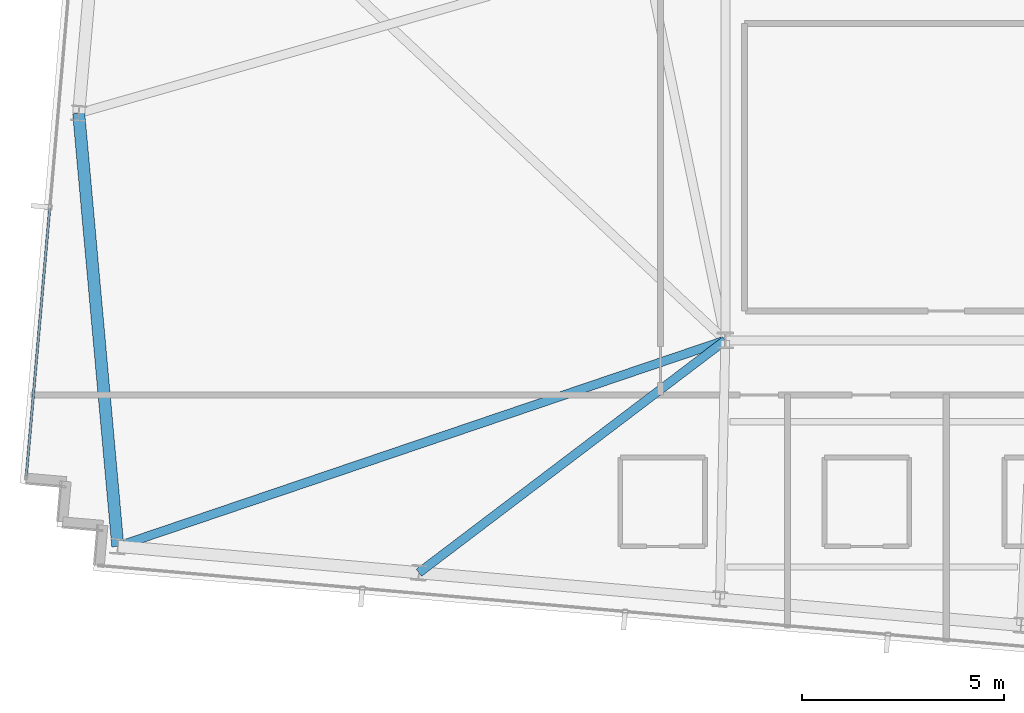
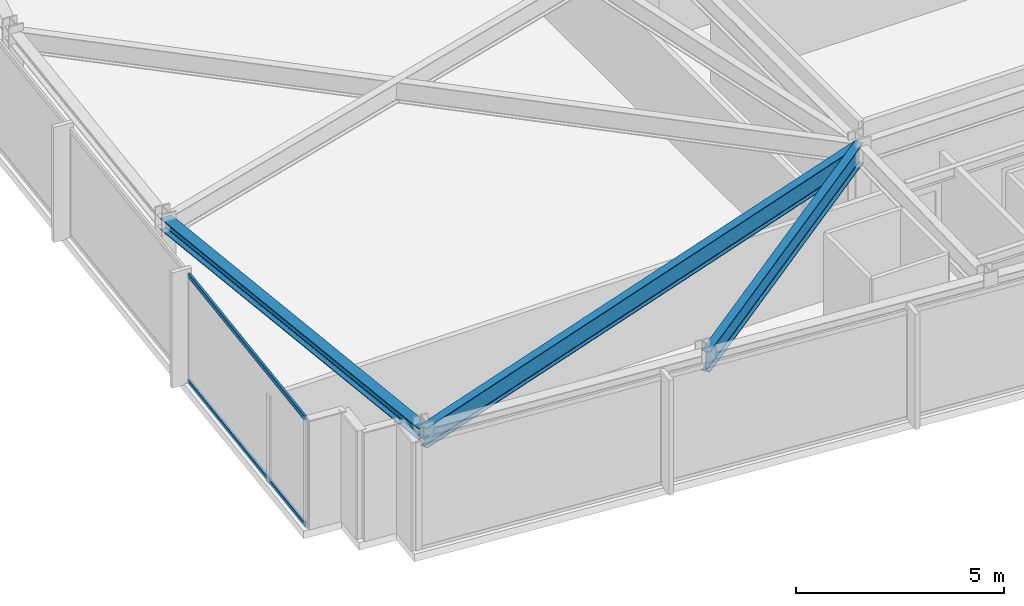
# One storey, part 4 of 33: 3 beams, 2 members, 1 element without a shape of its own.
"""IFC4 building model written with IfcOpenShell, lengths in metres."""

import ifcopenshell
import ifcopenshell.guid

model = None  # the IFC model being written
_history = None  # IfcOwnerHistory: only IFC2X3 demands one
_inside = {}  # id of a spatial element -> (the spatial element, [elements in it])
_under = {}  # id of a project, library or spatial element -> (it, [spatial elements below it])
_declared = {}  # id of a project -> (the project, [libraries it declares])
_typed = {}  # id of a type object -> (the type object, [elements of that type])
_made_of = {}  # id of a material, layer set ... -> (it, [elements and type objects made of it])


def new_model(schema):
    """Start an empty IFC model of exactly this schema.

    Asked for "IFC4X3", IfcOpenShell would pick the latest addendum, in which some entities
    have other attributes; the version numbers below select the first issue.
    IFC2X3 requires an IfcOwnerHistory on every rooted entity: one is made here for all.
    """
    global model, _history
    if schema == "IFC4X3":
        model = ifcopenshell.file(schema_version=(4, 3, 0, 0))
    else:
        model = ifcopenshell.file(schema=schema)
    _inside.clear()
    _under.clear()
    _declared.clear()
    _typed.clear()
    _made_of.clear()
    _history = None
    if model.schema == "IFC2X3":
        org = make("IfcOrganization", Name="unknown")
        user = make(
            "IfcPersonAndOrganization",
            ThePerson=make("IfcPerson", FamilyName="unknown"),
            TheOrganization=org,
        )
        app = make(
            "IfcApplication",
            ApplicationDeveloper=org,
            Version="unknown",
            ApplicationFullName="unknown",
            ApplicationIdentifier="unknown",
        )
        _history = make(
            "IfcOwnerHistory",
            OwningUser=user,
            OwningApplication=app,
            ChangeAction="ADDED",
            CreationDate=0,
        )
    return model


def make(cls, **values):
    """One entity of the class cls with the attributes given. An attribute that is None is left unset."""
    return model.create_entity(
        cls, **{name: value for name, value in values.items() if value is not None}
    )


def rooted(cls, **values):
    """An entity with a GlobalId (a new one), such as an element, a storey or a relation."""
    return make(cls, GlobalId=ifcopenshell.guid.new(), OwnerHistory=_history, **values)


def si_unit(unit_type, name, prefix=None):
    """IfcSIUnit, for example si_unit("LENGTHUNIT", "METRE", prefix="MILLI")."""
    return make("IfcSIUnit", UnitType=unit_type, Prefix=prefix, Name=name)


def assignment(units):
    """IfcUnitAssignment: the units of a project."""
    return None if units is None else make("IfcUnitAssignment", Units=units)


def point(xyz):
    """IfcCartesianPoint."""
    return None if xyz is None else make("IfcCartesianPoint", Coordinates=xyz)


def direction(xyz):
    """IfcDirection."""
    return None if xyz is None else make("IfcDirection", DirectionRatios=xyz)


def frame(location, z_axis=None, x_axis=None):
    """IfcAxis2Placement3D, a coordinate frame: its origin and axes. An axis left out is left unset."""
    return make(
        "IfcAxis2Placement3D",
        Location=point(location),
        Axis=direction(z_axis),
        RefDirection=direction(x_axis),
    )


def frame_2d(location, x_axis=None):
    """IfcAxis2Placement2D, a coordinate frame in the plane: its origin and x axis."""
    return make(
        "IfcAxis2Placement2D", Location=point(location), RefDirection=direction(x_axis)
    )


def origin():
    """The frame at (0, 0, 0) with its axes left unset."""
    return frame((0.0, 0.0, 0.0))


def origin_2d():
    """The frame at (0, 0) in the plane with its x axis left unset."""
    return frame_2d((0.0, 0.0))


def place(relative_to, where):
    """IfcLocalPlacement: puts the frame where relative to a parent placement (None: the world)."""
    return make(
        "IfcLocalPlacement", PlacementRelTo=relative_to, RelativePlacement=where
    )


def context(
    kind, dimensions, precision=None, world=None, true_north=None, identifier=None
):
    """IfcGeometricRepresentationContext, for example the 3D "Model" context."""
    return make(
        "IfcGeometricRepresentationContext",
        ContextIdentifier=identifier,
        ContextType=kind,
        CoordinateSpaceDimension=dimensions,
        Precision=precision,
        WorldCoordinateSystem=world,
        TrueNorth=true_north,
    )


def subcontext(parent, identifier, kind, view, scale=None):
    """IfcGeometricRepresentationSubContext, for example "Body" below "Model"."""
    return make(
        "IfcGeometricRepresentationSubContext",
        ContextIdentifier=identifier,
        ContextType=kind,
        ParentContext=parent,
        TargetScale=scale,
        TargetView=view,
    )


def project(units=None, contexts=None):
    """IfcProject with its units and contexts."""
    return rooted(
        "IfcProject",
        Name="project",
        RepresentationContexts=contexts,
        UnitsInContext=assignment(units),
    )


def spatial(cls, under=None, at=None, **own):
    """A site, building, storey or space (cls), placed at a placement, below another one or the project."""
    s = rooted(cls, ObjectPlacement=at, **own)
    if under is not None:
        _under.setdefault(under.id(), (under, []))[1].append(s)
    return s


def profile(cls, at=None, kind="AREA", **sizes):
    """A parametric profile (cls). Its sizes go by their IFC names, for example OverallWidth=200.0."""
    return make(cls, ProfileType=kind, Position=at, **sizes)


def hollow_rectangle(**sizes):
    """IfcRectangleHollowProfileDef."""
    return profile("IfcRectangleHollowProfileDef", **sizes)


def i_section(**sizes):
    """IfcIShapeProfileDef."""
    return profile("IfcIShapeProfileDef", **sizes)


def extrude(swept, where, along, depth):
    """IfcExtrudedAreaSolid: the profile swept, set in the frame where, extruded along a direction by depth."""
    return make(
        "IfcExtrudedAreaSolid",
        SweptArea=swept,
        Position=where,
        ExtrudedDirection=direction(along),
        Depth=depth,
    )


def shape(context_of_items, identifier, shape_type, items):
    """IfcShapeRepresentation: the items that make up one representation, for example the "Body"."""
    return make(
        "IfcShapeRepresentation",
        ContextOfItems=context_of_items,
        RepresentationIdentifier=identifier,
        RepresentationType=shape_type,
        Items=items,
    )


def material(Name=None, Category=None):
    """IfcMaterial."""
    return make("IfcMaterial", Name=Name, Category=Category)


def material_profile(
    of_material, cross_section, Name=None, Category=None, Priority=None
):
    """IfcMaterialProfile: a cross section and its material."""
    return make(
        "IfcMaterialProfile",
        Name=Name,
        Material=of_material,
        Profile=cross_section,
        Priority=Priority,
        Category=Category,
    )


def profile_set(profiles, Name=None, composite=None):
    """IfcMaterialProfileSet."""
    return make(
        "IfcMaterialProfileSet",
        Name=Name,
        MaterialProfiles=profiles,
        CompositeProfile=composite,
    )


def made_of(thing, what):
    """Note that an element or type object is made of a material, layer set ...; save() writes the relation."""
    if what is not None:
        _made_of.setdefault(what.id(), (what, []))[1].append(thing)
    return thing


def type_object(cls, material=None, **own):
    """A type object (cls), such as IfcWallType, which elements share."""
    return made_of(rooted(cls, **own), material)


def element(
    cls,
    number,
    at=None,
    inside=None,
    cuts=None,
    type_object=None,
    material=None,
    context=None,
    identifier="Body",
    shape_type=None,
    held_by="IfcProductDefinitionShape",
    body=None,
    shapes=None,
    **own,
):
    """One element of the class cls, such as IfcWall. Its Tag is "e" and its number.

    at: its placement. inside: the storey or other place that contains it. cuts: it is an
    opening in that element (IfcRelVoidsElement). A single representation is given by context,
    identifier, shape_type and body (its items); several are given by shapes. held_by: the class
    of the entity that holds the representations. save() writes the other relations.
    """
    e = rooted(cls, Tag="e%d" % number, ObjectPlacement=at, **own)
    if body is not None:
        shapes = [shape(context, identifier, shape_type, body)]
    if shapes is not None:
        e.Representation = make(held_by, Representations=shapes)
    if inside is not None:
        _inside.setdefault(inside.id(), (inside, []))[1].append(e)
    if cuts is not None:
        rooted(
            "IfcRelVoidsElement", RelatingBuildingElement=cuts, RelatedOpeningElement=e
        )
    if type_object is not None:
        _typed.setdefault(type_object.id(), (type_object, []))[1].append(e)
    return made_of(e, material)


def aggregate(whole, parts):
    """IfcRelAggregates: a whole, such as a stair, and the parts it consists of."""
    return rooted("IfcRelAggregates", RelatingObject=whole, RelatedObjects=parts)


def save(model, path):
    """Write the relations noted so far, then the file.

    IfcRelAggregates (storeys below a building ...), IfcRelContainedInSpatialStructure (elements
    in a storey), IfcRelDefinesByType, IfcRelAssociatesMaterial and IfcRelDeclares: one each for
    every whole, place, type object, material and project.
    """
    for whole, parts in _under.values():
        aggregate(whole, parts)
    for where, things in _inside.values():
        rooted(
            "IfcRelContainedInSpatialStructure",
            RelatedElements=things,
            RelatingStructure=where,
        )
    for kind, things in _typed.values():
        rooted("IfcRelDefinesByType", RelatedObjects=things, RelatingType=kind)
    for what, things in _made_of.values():
        rooted("IfcRelAssociatesMaterial", RelatedObjects=things, RelatingMaterial=what)
    for by, libraries in _declared.values():
        rooted("IfcRelDeclares", RelatingContext=by, RelatedDefinitions=libraries)
    model.write(path)


model = new_model("IFC4")

# Units and contexts
model_context = context("Model", 3, precision=1e-05, world=origin(), true_north=direction((0.0, 1.0)))
body_context = subcontext(model_context, "Body", "Model", "MODEL_VIEW")
ifc_project = project(units=[si_unit("LENGTHUNIT", "METRE"), si_unit("AREAUNIT", "SQUARE_METRE"), si_unit("VOLUMEUNIT", "CUBIC_METRE"), si_unit("PLANEANGLEUNIT", "RADIAN"), si_unit("MASSUNIT", "GRAM", prefix="KILO")], contexts=[model_context])

# Site, building, storey
site_placement = place(None, origin())
site = spatial("IfcSite", under=ifc_project, at=site_placement, CompositionType="ELEMENT")
building_placement = place(site_placement, origin())
building = spatial("IfcBuilding", under=site, at=building_placement, Name="Yelkora Congress Tower", CompositionType="ELEMENT")
storey_placement = place(building_placement, frame((0.0, 0.0, 289.699951171875)))
storey = spatial("IfcBuildingStorey", under=building, at=storey_placement, Name="L81", CompositionType="ELEMENT", Elevation=289.699951171875)

# Beams
ifc_material_1 = material(Name="Steel S355J2", Category="steel")
ifc_material_profile_1 = material_profile(ifc_material_1, i_section(OverallWidth=0.219970703125, OverallDepth=0.60009765625, WebThickness=0.011962890625, FlangeThickness=0.01904296875, FilletRadius=0.02392578125, at=origin_2d()), Name="IPE 600")
ifc_profile_set_1 = profile_set([ifc_material_profile_1], Name="Steel S355J2")
beam_type_1 = type_object("IfcBeamType", Name="BM-GIRD-IPE600", PredefinedType="BEAM", material=ifc_profile_set_1)
beam_1_placement = place(storey_placement, frame((7.998046875, 20.097900390625, 2.880126953125), z_axis=(0.947007090502, 0.321212656257, 0.0), x_axis=(-0.321212656257, 0.947007090502, 0.0)))
element("IfcBeam", 1, at=beam_1_placement, inside=storey, type_object=beam_type_1, Name="L81 Primary Frame Girder S01", PredefinedType="BEAM", context=body_context, shape_type="SweptSolid", body=[
    extrude(i_section(OverallWidth=0.219970703125, OverallDepth=0.60009765625, WebThickness=0.011962890625, FlangeThickness=0.01904296875, FilletRadius=0.02392578125, at=origin_2d()), origin(), (0.0, 0.0, 1.0), 15.8837890625),
])
beam_2_placement = place(storey_placement, frame((15.452880859375, 19.445556640625, 2.880126953125), z_axis=(0.79676107913, 0.6042944504, 0.0), x_axis=(-0.6042944504, 0.79676107913, 0.0)))
element("IfcBeam", 2, at=beam_2_placement, inside=storey, type_object=beam_type_1, Name="L81 Primary Frame Girder S02", PredefinedType="BEAM", context=body_context, shape_type="SweptSolid", body=[
    extrude(i_section(OverallWidth=0.219970703125, OverallDepth=0.60009765625, WebThickness=0.011962890625, FlangeThickness=0.01904296875, FilletRadius=0.02392578125, at=origin_2d()), origin(), (0.0, 0.0, 1.0), 9.5224609375),
])
ifc_material_profile_2 = material_profile(ifc_material_1, i_section(OverallWidth=0.300048828125, OverallDepth=0.340087890625, WebThickness=0.011962890625, FlangeThickness=0.021484375, FilletRadius=0.027099609375, at=origin_2d()), Name="HEB 340")
ifc_profile_set_2 = profile_set([ifc_material_profile_2], Name="Steel S355J2")
beam_type_2 = type_object("IfcBeamType", Name="BM-SPAN-HEB340", PredefinedType="SPANDREL", material=ifc_profile_set_2)
beam_3_placement = place(storey_placement, frame((7.029052734375, 30.822998046875, 3.010009765625), z_axis=(0.08998177561, -0.995943412076, 0.0), x_axis=(0.995943412076, 0.08998177561, 0.0)))
element("IfcBeam", 3, at=beam_3_placement, inside=storey, type_object=beam_type_2, Name="L81 Perimeter Beam 15", PredefinedType="SPANDREL", context=body_context, shape_type="SweptSolid", body=[
    extrude(i_section(OverallWidth=0.300048828125, OverallDepth=0.340087890625, WebThickness=0.011962890625, FlangeThickness=0.021484375, FilletRadius=0.027099609375, at=origin_2d()), origin(), (0.0, 0.0, 1.0), 10.768798828125),
])

# Curtain wall, members
ifc_material_2 = material(Name="Anodised aluminium and insulated glass", Category="aluminium")
curtain_wall_type = type_object("IfcCurtainWallType", Name="CW-SYS-B5", PredefinedType="NOTDEFINED", material=ifc_material_2)
curtain_wall_placement = place(storey_placement, origin())
curtain_wall = element("IfcCurtainWall", 4, at=curtain_wall_placement, inside=storey, type_object=curtain_wall_type, Name="L81 Unitised Curtain Wall 5", PredefinedType="NOTDEFINED")
ifc_material_3 = material(Name="Anodised aluminium 6063-T6", Category="aluminium")
ifc_material_profile_3 = material_profile(ifc_material_3, hollow_rectangle(XDim=0.06005859375, YDim=0.1298828125, WallThickness=0.00390625, at=origin_2d()), Name="ALU 60x130x4")
ifc_profile_set_3 = profile_set([ifc_material_profile_3], Name="Anodised aluminium 6063-T6")
member_type = type_object("IfcMemberType", Name="MEM-TR-B5", PredefinedType="USERDEFINED", material=ifc_profile_set_3)
member_1_placement = place(storey_placement, frame((5.732666015625, 21.85693359375, 0.030029296875), z_axis=(0.08716649365, 0.996193757451, 0.0), x_axis=(-0.996193757451, 0.08716649365, 0.0)))
member_1 = element("IfcMember", 5, at=member_1_placement, type_object=member_type, Name="CW-B5 transom 1.1", ObjectType="TRANSOM", PredefinedType="USERDEFINED", context=body_context, shape_type="SweptSolid", body=[
    extrude(hollow_rectangle(XDim=0.06005859375, YDim=0.1298828125, WallThickness=0.00390625, at=origin_2d()), origin(), (0.0, 0.0, 1.0), 6.63232421875),
])
member_2_placement = place(storey_placement, frame((5.732666015625, 21.85693359375, 3.150146484375), z_axis=(0.08716649365, 0.996193757451, 0.0), x_axis=(-0.996193757451, 0.08716649365, 0.0)))
member_2 = element("IfcMember", 6, at=member_2_placement, type_object=member_type, Name="CW-B5 transom 1.2", ObjectType="TRANSOM", PredefinedType="USERDEFINED", context=body_context, shape_type="SweptSolid", body=[
    extrude(hollow_rectangle(XDim=0.06005859375, YDim=0.1298828125, WallThickness=0.00390625, at=origin_2d()), origin(), (0.0, 0.0, 1.0), 6.63232421875),
])
aggregate(curtain_wall, [member_1, member_2])

save(model, "model.ifc")
